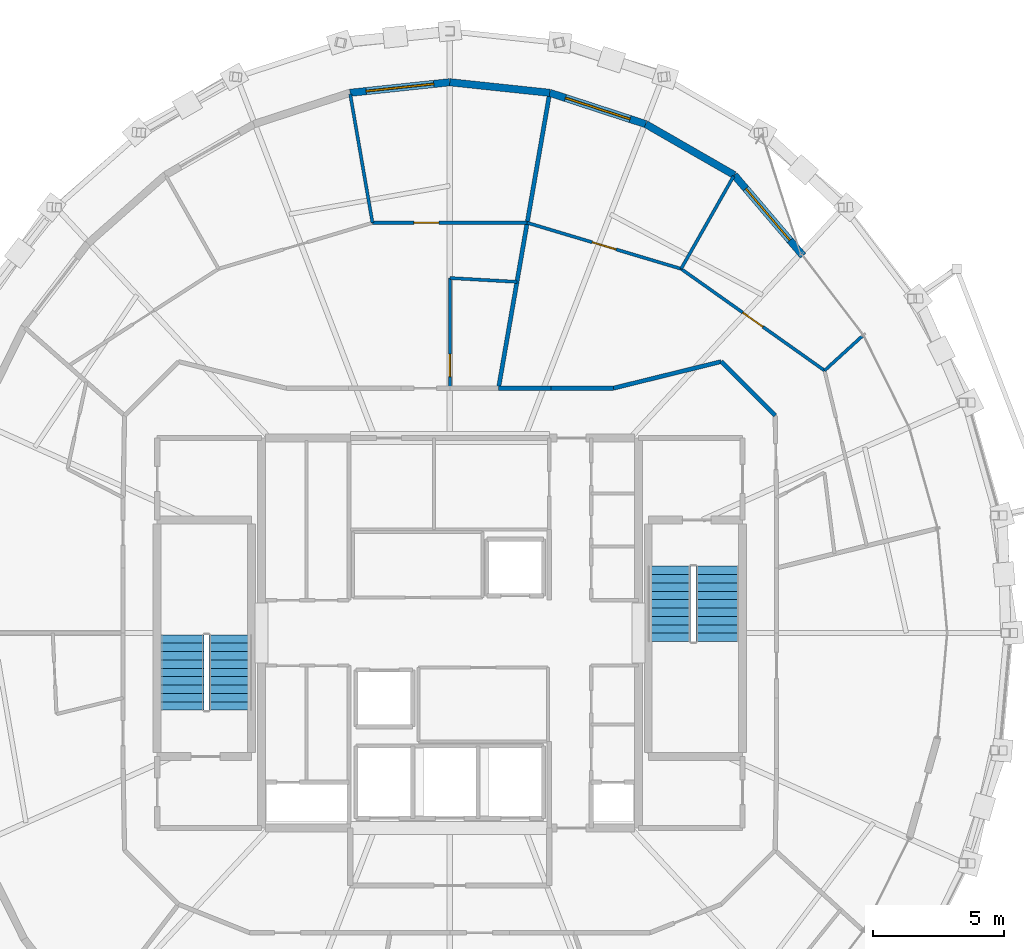
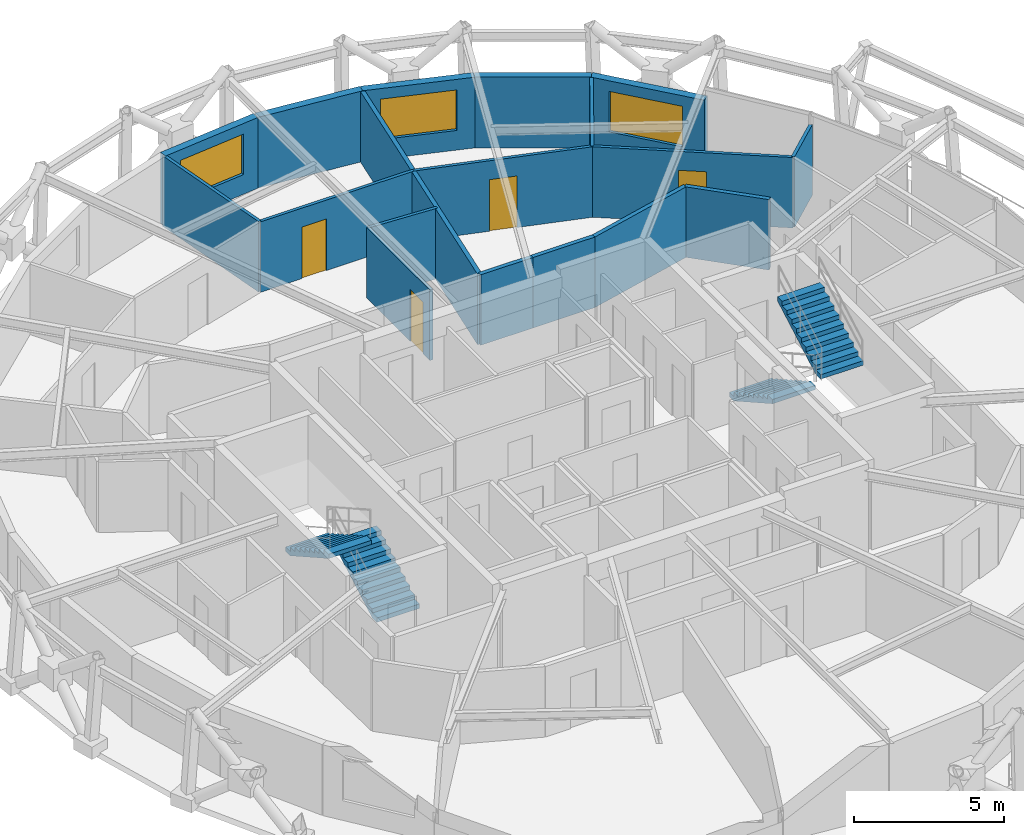
# One storey, part 14 of 15: 18 walls, 4 doors, 4 stair flights, 3 windows, 7 openings, 2 elements without a shape of their own.
"""IFC4 building model written with IfcOpenShell, lengths in metres."""

from ifc_helpers import new_model, si_unit, direction, frame, frame_2d, origin, place, context, subcontext, project, spatial, polyline, rectangle, outline, extrude, material, layer, layer_set, type_object, element, fill, aggregate, save


model = new_model("IFC4")

# Units and contexts
model_context = context("Model", 3, precision=1e-05, world=origin(), true_north=direction((0.0, 1.0)))
body_context = subcontext(model_context, "Body", "Model", "MODEL_VIEW")
ifc_project = project(units=[si_unit("LENGTHUNIT", "METRE"), si_unit("AREAUNIT", "SQUARE_METRE"), si_unit("VOLUMEUNIT", "CUBIC_METRE"), si_unit("PLANEANGLEUNIT", "RADIAN"), si_unit("MASSUNIT", "GRAM", prefix="KILO")], contexts=[model_context])

# Site, building, storey
site_placement = place(None, origin())
site = spatial("IfcSite", under=ifc_project, at=site_placement, CompositionType="ELEMENT")
building_placement = place(site_placement, origin())
building = spatial("IfcBuilding", under=site, at=building_placement, Name="Veldorina Hangang Commons", CompositionType="ELEMENT")
storey_placement = place(building_placement, frame((0.0, 0.0, 268.800048828125)))
storey = spatial("IfcBuildingStorey", under=building, at=storey_placement, Name="L70", CompositionType="ELEMENT", Elevation=268.800048828125)

# Wall, opening, window
ifc_material_1 = material(Name="Stone Roman Travertine", Category="masonry")
ifc_layer_1 = layer(ifc_material_1, 0.280029296875)
ifc_layer_set_1 = layer_set([ifc_layer_1], Name="Stone Roman Travertine")
wall_type_1 = type_object("IfcWallType", Name="EW-TRAV-280", PredefinedType="STANDARD", material=ifc_layer_set_1)
wall_1_placement = place(storey_placement, frame((45.492431640625, 38.409423828125, 0.0), z_axis=(0.0, 0.0, 1.0), x_axis=(-0.648688961416, 0.761053632365, 0.0)))
wall_1 = element("IfcWall", 1, at=wall_1_placement, inside=storey, type_object=wall_type_1, Name="L70 travertine facade wall 04", PredefinedType="STANDARD", context=body_context, shape_type="SweptSolid", body=[
    extrude(rectangle(XDim=4.050048828125, YDim=0.280029296875, at=frame_2d((2.02490234375, 0.0))), origin(), (0.0, 0.0, 1.0), 2.8798828125),
])
opening_1_placement = place(wall_1_placement, frame((0.77099609375, 0.0, 0.800048828125)))
opening_1 = element("IfcOpeningElement", 2, at=opening_1_placement, cuts=wall_1, Name="Opening W-02", PredefinedType="OPENING", context=body_context, shape_type="SweptSolid", body=[
    extrude(rectangle(XDim=2.60009765625, YDim=1.64990234375, at=frame_2d((1.300048828125, 0.824951171875))), frame((0.0, 0.14990234375, 0.0), z_axis=(0.0, -1.0, 0.0), x_axis=(1.0, 0.0, 0.0)), (0.0, 0.0, 1.0), 0.300048828125),
])
ifc_material_2 = material(Name="Glass Low-E Triple IGU", Category="glass")
window_type = type_object("IfcWindowType", Name="WIN-TWR-2600", PartitioningType="SINGLE_PANEL", PredefinedType="WINDOW", material=ifc_material_2)
window_1_placement = place(opening_1_placement, origin())
window_1 = element("IfcWindow", 3, at=window_1_placement, inside=storey, type_object=window_type, Name="L70 facade window 04", OverallHeight=1.64990234375, OverallWidth=2.60009765625, PartitioningType="SINGLE_PANEL", PredefinedType="WINDOW", context=body_context, shape_type="SweptSolid", body=[
    extrude(rectangle(XDim=2.60009765625, YDim=1.64990234375, at=frame_2d((1.300048828125, 0.824951171875))), frame((0.0, 0.030029296875, 0.0), z_axis=(0.0, -1.0, 0.0), x_axis=(1.0, 0.0, 0.0)), (0.0, 0.0, 1.0), 0.06005859375),
])
fill(opening_1, window_1)

# Wall
wall_2_placement = place(storey_placement, frame((42.865234375, 41.49169921875, 0.0), z_axis=(0.0, 0.0, 1.0), x_axis=(-0.866911036779, 0.498462891608, 0.0)))
element("IfcWall", 4, at=wall_2_placement, inside=storey, type_object=wall_type_1, Name="L70 travertine facade wall 05", PredefinedType="STANDARD", context=body_context, shape_type="SweptSolid", body=[
    extrude(rectangle(XDim=3.900146484375, YDim=0.280029296875, at=frame_2d((1.9501953125, 0.0))), origin(), (0.0, 0.0, 1.0), 2.8798828125),
])

# Wall, opening, window
wall_3_placement = place(storey_placement, frame((39.484130859375, 43.435791015625, 0.0), z_axis=(0.0, 0.0, 1.0), x_axis=(-0.950681997555, 0.310167276684, 0.0)))
wall_3 = element("IfcWall", 5, at=wall_3_placement, inside=storey, type_object=wall_type_1, Name="L70 travertine facade wall 06", PredefinedType="STANDARD", context=body_context, shape_type="SweptSolid", body=[
    extrude(rectangle(XDim=3.859375, YDim=0.280029296875, at=frame_2d((1.9296875, 0.0))), origin(), (0.0, 0.0, 1.0), 2.8798828125),
])
opening_2_placement = place(wall_3_placement, frame((0.629638671875, 0.0, 0.800048828125)))
opening_2 = element("IfcOpeningElement", 6, at=opening_2_placement, cuts=wall_3, Name="Opening W-02", PredefinedType="OPENING", context=body_context, shape_type="SweptSolid", body=[
    extrude(rectangle(XDim=2.60009765625, YDim=1.64990234375, at=frame_2d((1.300048828125, 0.824951171875))), frame((0.0, 0.14990234375, 0.0), z_axis=(0.0, -1.0, 0.0), x_axis=(1.0, 0.0, 0.0)), (0.0, 0.0, 1.0), 0.300048828125),
])
window_2_placement = place(opening_2_placement, origin())
window_2 = element("IfcWindow", 7, at=window_2_placement, inside=storey, type_object=window_type, Name="L70 facade window 06", OverallHeight=1.64990234375, OverallWidth=2.60009765625, PartitioningType="SINGLE_PANEL", PredefinedType="WINDOW", context=body_context, shape_type="SweptSolid", body=[
    extrude(rectangle(XDim=2.60009765625, YDim=1.64990234375, at=frame_2d((1.300048828125, 0.824951171875))), frame((0.0, 0.030029296875, 0.0), z_axis=(0.0, -1.0, 0.0), x_axis=(1.0, 0.0, 0.0)), (0.0, 0.0, 1.0), 0.06005859375),
])
fill(opening_2, window_2)

# Wall
wall_4_placement = place(storey_placement, frame((35.815185546875, 44.6328125, 0.0), z_axis=(0.0, 0.0, 1.0), x_axis=(-0.99443198522, 0.105380390832, 0.0)))
element("IfcWall", 8, at=wall_4_placement, inside=storey, type_object=wall_type_1, Name="L70 travertine facade wall 07", PredefinedType="STANDARD", context=body_context, shape_type="SweptSolid", body=[
    extrude(rectangle(XDim=3.83642578125, YDim=0.280029296875, at=frame_2d((1.918212890625, 0.0))), origin(), (0.0, 0.0, 1.0), 2.8798828125),
])

# Wall, opening, window
wall_5_placement = place(storey_placement, frame((32.0, 45.037109375, 0.0), z_axis=(0.0, 0.0, 1.0), x_axis=(-0.99443198522, -0.105380390832, 0.0)))
wall_5 = element("IfcWall", 9, at=wall_5_placement, inside=storey, type_object=wall_type_1, Name="L70 travertine facade wall 08", PredefinedType="STANDARD", context=body_context, shape_type="SweptSolid", body=[
    extrude(rectangle(XDim=3.83642578125, YDim=0.280029296875, at=frame_2d((1.918212890625, 0.0))), origin(), (0.0, 0.0, 1.0), 2.8798828125),
])
opening_3_placement = place(wall_5_placement, frame((0.618408203125, 0.0, 0.800048828125)))
opening_3 = element("IfcOpeningElement", 10, at=opening_3_placement, cuts=wall_5, Name="Opening W-02", PredefinedType="OPENING", context=body_context, shape_type="SweptSolid", body=[
    extrude(rectangle(XDim=2.60009765625, YDim=1.64990234375, at=frame_2d((1.300048828125, 0.824951171875))), frame((0.0, 0.14990234375, 0.0), z_axis=(0.0, -1.0, 0.0), x_axis=(1.0, 0.0, 0.0)), (0.0, 0.0, 1.0), 0.300048828125),
])
window_3_placement = place(opening_3_placement, origin())
window_3 = element("IfcWindow", 11, at=window_3_placement, inside=storey, type_object=window_type, Name="L70 facade window 08", OverallHeight=1.64990234375, OverallWidth=2.60009765625, PartitioningType="SINGLE_PANEL", PredefinedType="WINDOW", context=body_context, shape_type="SweptSolid", body=[
    extrude(rectangle(XDim=2.60009765625, YDim=1.64990234375, at=frame_2d((1.300048828125, 0.824951171875))), frame((0.0, 0.030029296875, 0.0), z_axis=(0.0, -1.0, 0.0), x_axis=(1.0, 0.0, 0.0)), (0.0, 0.0, 1.0), 0.06005859375),
])
fill(opening_3, window_3)

# Walls
ifc_material_3 = material(Name="Gypsum Fire-Rated Twin Stud Wall", Category="gypsum")
ifc_layer_2 = layer(ifc_material_3, 0.159912109375)
ifc_layer_set_2 = layer_set([ifc_layer_2], Name="Gypsum Fire-Rated Twin Stud Wall")
wall_type_2 = type_object("IfcWallType", Name="WL-FIRE-160", PredefinedType="SOLIDWALL", material=ifc_layer_set_2)
wall_6_placement = place(storey_placement, frame((44.4267578125, 32.30322265625, 0.0), z_axis=(0.0, 0.0, 1.0), x_axis=(-0.707106781187, 0.707106781187, 0.0)))
element("IfcWall", 12, at=wall_6_placement, inside=storey, type_object=wall_type_2, Name="L70 Compact collar outer wall 03 059", PredefinedType="SOLIDWALL", context=body_context, shape_type="SweptSolid", body=[
    extrude(rectangle(XDim=2.915771484375, YDim=0.159912109375, at=frame_2d((1.4580078125, 0.0))), origin(), (0.0, 0.0, 1.0), 2.869873046875),
])
wall_7_placement = place(storey_placement, frame((42.364990234375, 34.364990234375, 0.0), z_axis=(0.0, 0.0, 1.0), x_axis=(-0.970939799552, -0.239323850978, 0.0)))
element("IfcWall", 13, at=wall_7_placement, inside=storey, type_object=wall_type_2, Name="L70 Compact collar outer wall 04 060", PredefinedType="SOLIDWALL", context=body_context, shape_type="SweptSolid", body=[
    extrude(rectangle(XDim=4.24072265625, YDim=0.159912109375, at=frame_2d((2.120361328125, 0.0))), origin(), (0.0, 0.0, 1.0), 2.869873046875),
])
wall_8_placement = place(storey_placement, frame((38.24755859375, 33.35009765625, 0.0), z_axis=(0.0, 0.0, 1.0), x_axis=(-1.0, 0.0, 0.0)))
element("IfcWall", 14, at=wall_8_placement, inside=storey, type_object=wall_type_2, Name="L70 Compact collar outer wall 05 061", PredefinedType="SOLIDWALL", context=body_context, shape_type="SweptSolid", body=[
    extrude(rectangle(XDim=2.374755859375, YDim=0.159912109375, at=frame_2d((1.1875, 0.0))), origin(), (0.0, 0.0, 1.0), 2.869873046875),
])
wall_9_placement = place(storey_placement, frame((35.872802734375, 33.35009765625, 0.0), z_axis=(0.0, 0.0, 1.0), x_axis=(-1.0, 0.0, 0.0)))
element("IfcWall", 15, at=wall_9_placement, inside=storey, type_object=wall_type_2, Name="L70 Compact collar outer wall 06 062", PredefinedType="SOLIDWALL", context=body_context, shape_type="SweptSolid", body=[
    extrude(rectangle(XDim=2.012939453125, YDim=0.159912109375, at=frame_2d((1.00634765625, 0.0))), origin(), (0.0, 0.0, 1.0), 2.869873046875),
])
wall_10_placement = place(storey_placement, frame((33.85986328125, 33.35009765625, 0.0), z_axis=(0.0, 0.0, 1.0), x_axis=(0.170778130505, 0.98530950982, 0.0)))
element("IfcWall", 16, at=wall_10_placement, inside=storey, type_object=wall_type_2, Name="L70 Unit party wall 07 097", PredefinedType="SOLIDWALL", context=body_context, shape_type="SweptSolid", body=[
    extrude(rectangle(XDim=11.40087890625, YDim=0.159912109375, at=frame_2d((5.700439453125, 0.0))), origin(), (0.0, 0.0, 1.0), 2.869873046875),
])

# Wall, opening, door
ifc_material_4 = material(Name="Gypsum Acoustic Stud Partition", Category="gypsum")
ifc_layer_3 = layer(ifc_material_4, 0.1201171875)
ifc_layer_set_3 = layer_set([ifc_layer_3], Name="Gypsum Acoustic Stud Partition")
wall_type_3 = type_object("IfcWallType", Name="WL-PART-120", PredefinedType="PARTITIONING", material=ifc_layer_set_3)
wall_11_placement = place(storey_placement, frame((46.31298828125, 34.024169921875, 0.0), z_axis=(0.0, 0.0, 1.0), x_axis=(-0.815764383374, 0.57838436253, 0.0)))
wall_11 = element("IfcWall", 17, at=wall_11_placement, inside=storey, type_object=wall_type_3, Name="L70 Cluster 2 bed 2 front wall 093", PredefinedType="PARTITIONING", context=body_context, shape_type="SweptSolid", body=[
    extrude(rectangle(XDim=6.717041015625, YDim=0.1201171875, at=frame_2d((3.3583984375, 0.0))), origin(), (0.0, 0.0, 1.0), 2.869873046875),
])
opening_4_placement = place(wall_11_placement, frame((2.883544921875, 0.0, 0.0)))
opening_4 = element("IfcOpeningElement", 18, at=opening_4_placement, cuts=wall_11, Name="Opening D-02", PredefinedType="OPENING", context=body_context, shape_type="SweptSolid", body=[
    extrude(rectangle(XDim=0.949951171875, YDim=2.10009765625, at=frame_2d((0.47509765625, 1.050048828125))), frame((0.0, 0.070068359375, 0.0), z_axis=(0.0, -1.0, 0.0), x_axis=(1.0, 0.0, 0.0)), (0.0, 0.0, 1.0), 0.14013671875),
])
ifc_material_5 = material(Name="Timber Solid Core Acoustic", Category="wood")
door_type_1 = type_object("IfcDoorType", Name="DR-INT-950", OperationType="SINGLE_SWING_LEFT", PredefinedType="DOOR", material=ifc_material_5)
door_1_placement = place(opening_4_placement, origin())
door_1 = element("IfcDoor", 19, at=door_1_placement, inside=storey, type_object=door_type_1, Name="L70 Cluster 2 bed 2 door 030", OperationType="SINGLE_SWING_RIGHT", OverallHeight=2.10009765625, OverallWidth=0.949951171875, PredefinedType="DOOR", context=body_context, shape_type="SweptSolid", body=[
    extrude(rectangle(XDim=0.949951171875, YDim=2.10009765625, at=frame_2d((0.47509765625, 1.050048828125))), frame((0.0, 0.02490234375, 0.0), z_axis=(0.0, -1.0, 0.0), x_axis=(1.0, 0.0, 0.0)), (0.0, 0.0, 1.0), 0.050048828125),
])
fill(opening_4, door_1)

# Wall
wall_12_placement = place(storey_placement, frame((46.31298828125, 34.024169921875, 0.0), z_axis=(0.0, 0.0, 1.0), x_axis=(0.738747493853, 0.673982299713, 0.0)))
element("IfcWall", 20, at=wall_12_placement, inside=storey, type_object=wall_type_3, Name="L70 Cluster 2 bed divider 1 094", PredefinedType="PARTITIONING", context=body_context, shape_type="SweptSolid", body=[
    extrude(rectangle(XDim=1.95654296875, YDim=0.1201171875, at=frame_2d((0.978271484375, 0.0))), origin(), (0.0, 0.0, 1.0), 2.869873046875),
])

# Wall, opening, door
wall_13_placement = place(storey_placement, frame((40.83349609375, 37.9091796875, 0.0), z_axis=(0.0, 0.0, 1.0), x_axis=(-0.958019889786, 0.28670174533, 0.0)))
wall_13 = element("IfcWall", 21, at=wall_13_placement, inside=storey, type_object=wall_type_3, Name="L70 Cluster 2 bed 3 front wall 095", PredefinedType="PARTITIONING", context=body_context, shape_type="SweptSolid", body=[
    extrude(rectangle(XDim=6.13623046875, YDim=0.1201171875, at=frame_2d((3.068115234375, 0.0))), origin(), (0.0, 0.0, 1.0), 2.869873046875),
])
opening_5_placement = place(wall_13_placement, frame((2.593017578125, 0.0, 0.0)))
opening_5 = element("IfcOpeningElement", 22, at=opening_5_placement, cuts=wall_13, Name="Opening D-02", PredefinedType="OPENING", context=body_context, shape_type="SweptSolid", body=[
    extrude(rectangle(XDim=0.949951171875, YDim=2.10009765625, at=frame_2d((0.47509765625, 1.050048828125))), frame((0.0, 0.070068359375, 0.0), z_axis=(0.0, -1.0, 0.0), x_axis=(1.0, 0.0, 0.0)), (0.0, 0.0, 1.0), 0.14013671875),
])
door_2_placement = place(opening_5_placement, origin())
door_2 = element("IfcDoor", 23, at=door_2_placement, inside=storey, type_object=door_type_1, Name="L70 Cluster 2 bed 3 door 031", OperationType="SINGLE_SWING_LEFT", OverallHeight=2.10009765625, OverallWidth=0.949951171875, PredefinedType="DOOR", context=body_context, shape_type="SweptSolid", body=[
    extrude(rectangle(XDim=0.949951171875, YDim=2.10009765625, at=frame_2d((0.47509765625, 1.050048828125))), frame((0.0, 0.02490234375, 0.0), z_axis=(0.0, -1.0, 0.0), x_axis=(1.0, 0.0, 0.0)), (0.0, 0.0, 1.0), 0.050048828125),
])
fill(opening_5, door_2)

# Walls
wall_14_placement = place(storey_placement, frame((40.83349609375, 37.9091796875, 0.0), z_axis=(0.0, 0.0, 1.0), x_axis=(0.493338072586, 0.869837655047, 0.0)))
element("IfcWall", 24, at=wall_14_placement, inside=storey, type_object=wall_type_3, Name="L70 Cluster 2 bed divider 2 096", PredefinedType="PARTITIONING", context=body_context, shape_type="SweptSolid", body=[
    extrude(rectangle(XDim=4.068359375, YDim=0.1201171875, at=frame_2d((2.0341796875, 0.0))), origin(), (0.0, 0.0, 1.0), 2.869873046875),
])
wall_15_placement = place(storey_placement, frame((34.563720703125, 37.411865234375, 0.0), z_axis=(0.0, 0.0, 1.0), x_axis=(-0.998393230763, 0.056665304784, 0.0)))
element("IfcWall", 25, at=wall_15_placement, inside=storey, type_object=wall_type_3, Name="L70 Cluster 3 bath front wall 098", PredefinedType="PARTITIONING", context=body_context, shape_type="SweptSolid", body=[
    extrude(rectangle(XDim=2.56787109375, YDim=0.1201171875, at=frame_2d((1.283935546875, 0.0))), origin(), (0.0, 0.0, 1.0), 2.869873046875),
])

# Wall, opening, door
wall_16_placement = place(storey_placement, frame((32.0, 33.35009765625, 0.0), z_axis=(0.0, 0.0, 1.0), x_axis=(0.0, 1.0, 0.0)))
wall_16 = element("IfcWall", 26, at=wall_16_placement, inside=storey, type_object=wall_type_3, Name="L70 Cluster 3 bath side wall 099", PredefinedType="PARTITIONING", context=body_context, shape_type="SweptSolid", body=[
    extrude(rectangle(XDim=4.207275390625, YDim=0.1201171875, at=frame_2d((2.103515625, 0.0))), origin(), (0.0, 0.0, 1.0), 2.869873046875),
])
opening_6_placement = place(wall_16_placement, frame((0.43994140625, 0.0, 0.0)))
opening_6 = element("IfcOpeningElement", 27, at=opening_6_placement, cuts=wall_16, Name="Opening D-01", PredefinedType="OPENING", context=body_context, shape_type="SweptSolid", body=[
    extrude(rectangle(XDim=0.860107421875, YDim=2.10009765625, at=frame_2d((0.43017578125, 1.050048828125))), frame((0.0, 0.070068359375, 0.0), z_axis=(0.0, -1.0, 0.0), x_axis=(1.0, 0.0, 0.0)), (0.0, 0.0, 1.0), 0.14013671875),
])
ifc_material_6 = material(Name="Timber Moisture-Resistant Core", Category="wood")
door_type_2 = type_object("IfcDoorType", Name="DR-WET-860", OperationType="SINGLE_SWING_LEFT", PredefinedType="DOOR", material=ifc_material_6)
door_3_placement = place(opening_6_placement, origin())
door_3 = element("IfcDoor", 28, at=door_3_placement, inside=storey, type_object=door_type_2, Name="L70 Cluster 3 shared bathroom door 032", OperationType="SINGLE_SWING_RIGHT", OverallHeight=2.10009765625, OverallWidth=0.860107421875, PredefinedType="DOOR", context=body_context, shape_type="SweptSolid", body=[
    extrude(rectangle(XDim=0.860107421875, YDim=2.10009765625, at=frame_2d((0.43017578125, 1.050048828125))), frame((0.0, 0.02490234375, 0.0), z_axis=(0.0, -1.0, 0.0), x_axis=(1.0, 0.0, 0.0)), (0.0, 0.0, 1.0), 0.050048828125),
])
fill(opening_6, door_3)

wall_17_placement = place(storey_placement, frame((34.954833984375, 39.66845703125, 0.0), z_axis=(0.0, 0.0, 1.0), x_axis=(-1.0, 0.0, 0.0)))
wall_17 = element("IfcWall", 29, at=wall_17_placement, inside=storey, type_object=wall_type_3, Name="L70 Cluster 3 bed 1 front wall 100", PredefinedType="PARTITIONING", context=body_context, shape_type="SweptSolid", body=[
    extrude(rectangle(XDim=5.90966796875, YDim=0.1201171875, at=frame_2d((2.954833984375, 0.0))), origin(), (0.0, 0.0, 1.0), 2.869873046875),
])
opening_7_placement = place(wall_17_placement, frame((3.37744140625, 0.0, 0.0)))
opening_7 = element("IfcOpeningElement", 30, at=opening_7_placement, cuts=wall_17, Name="Opening D-02", PredefinedType="OPENING", context=body_context, shape_type="SweptSolid", body=[
    extrude(rectangle(XDim=0.949951171875, YDim=2.10009765625, at=frame_2d((0.47509765625, 1.050048828125))), frame((0.0, 0.070068359375, 0.0), z_axis=(0.0, -1.0, 0.0), x_axis=(1.0, 0.0, 0.0)), (0.0, 0.0, 1.0), 0.14013671875),
])
door_4_placement = place(opening_7_placement, origin())
door_4 = element("IfcDoor", 31, at=door_4_placement, inside=storey, type_object=door_type_1, Name="L70 Cluster 3 bed 1 door 034", OperationType="SINGLE_SWING_RIGHT", OverallHeight=2.10009765625, OverallWidth=0.949951171875, PredefinedType="DOOR", context=body_context, shape_type="SweptSolid", body=[
    extrude(rectangle(XDim=0.949951171875, YDim=2.10009765625, at=frame_2d((0.47509765625, 1.050048828125))), frame((0.0, 0.02490234375, 0.0), z_axis=(0.0, -1.0, 0.0), x_axis=(1.0, 0.0, 0.0)), (0.0, 0.0, 1.0), 0.050048828125),
])
fill(opening_7, door_4)

# Wall
wall_18_placement = place(storey_placement, frame((29.045166015625, 39.66845703125, 0.0), z_axis=(0.0, 0.0, 1.0), x_axis=(-0.170808263467, 0.985304286569, 0.0)))
element("IfcWall", 32, at=wall_18_placement, inside=storey, type_object=wall_type_3, Name="L70 Cluster 3 bed divider 1 102", PredefinedType="PARTITIONING", context=body_context, shape_type="SweptSolid", body=[
    extrude(rectangle(XDim=4.98828125, YDim=0.1201171875, at=frame_2d((2.494140625, 0.0))), origin(), (0.0, 0.0, 1.0), 2.869873046875),
])

# Stair, stair flights
ifc_material_7 = material(Name="Concrete C40/50", Category="concrete")
stair_type = type_object("IfcStairType", Name="STR-DOG-1650-20R", PredefinedType="HALF_TURN_STAIR", material=ifc_material_7)
stair_1_placement = place(storey_placement, origin())
stair_1 = element("IfcStair", 33, at=stair_1_placement, inside=storey, type_object=stair_type, Name="L70 Exit stair ST-1", PredefinedType="HALF_TURN_STAIR")
stair_flight_type = type_object("IfcStairFlightType", Name="SFL-STR-1650-20R", PredefinedType="STRAIGHT", material=ifc_material_7)
stair_flight_1_placement = place(storey_placement, frame((23.625, 21.050048828125, 0.0), z_axis=(0.0, 0.0, 1.0), x_axis=(0.0, 1.0, 0.0)))
stair_flight_1 = element("IfcStairFlight", 34, at=stair_flight_1_placement, type_object=stair_flight_type, Name="ST-1 flight 1", NumberOfRisers=10, NumberOfTreads=9, PredefinedType="STRAIGHT", RiserHeight=0.18, TreadLength=0.32, context=body_context, shape_type="SweptSolid", body=[
    extrude(outline(polyline([(0.0, 0.0), (0.0, 0.179931640625), (0.320068359375, 0.179931640625), (0.320068359375, 0.360107421875), (0.639892578125, 0.360107421875), (0.639892578125, 0.5400390625), (0.9599609375, 0.5400390625), (0.9599609375, 0.719970703125), (1.280029296875, 0.719970703125), (1.280029296875, 0.89990234375), (1.60009765625, 0.89990234375), (1.60009765625, 1.080078125), (1.919921875, 1.080078125), (1.919921875, 1.260009765625), (2.239990234375, 1.260009765625), (2.239990234375, 1.43994140625), (2.56005859375, 1.43994140625), (2.56005859375, 1.6201171875), (2.8798828125, 1.6201171875), (2.8798828125, 1.800048828125), (2.8798828125, 1.447998046875), (0.3056640625, 0.0), (0.0, 0.0)])), frame((0.0, 0.824951171875, 0.0), z_axis=(0.0, -1.0, 0.0), x_axis=(1.0, 0.0, 0.0)), (0.0, 0.0, 1.0), 1.64990234375),
])
stair_flight_2_placement = place(storey_placement, frame((21.77490234375, 23.929931640625, 1.800048828125), z_axis=(0.0, 0.0, 1.0), x_axis=(0.0, -1.0, 0.0)))
stair_flight_2 = element("IfcStairFlight", 35, at=stair_flight_2_placement, type_object=stair_flight_type, Name="ST-1 flight 2", NumberOfRisers=10, NumberOfTreads=9, PredefinedType="STRAIGHT", RiserHeight=0.18, TreadLength=0.32, context=body_context, shape_type="SweptSolid", body=[
    extrude(outline(polyline([(0.0, 0.0), (0.0, 0.179931640625), (0.320068359375, 0.179931640625), (0.320068359375, 0.360107421875), (0.639892578125, 0.360107421875), (0.639892578125, 0.5400390625), (0.9599609375, 0.5400390625), (0.9599609375, 0.719970703125), (1.280029296875, 0.719970703125), (1.280029296875, 0.89990234375), (1.60009765625, 0.89990234375), (1.60009765625, 1.080078125), (1.919921875, 1.080078125), (1.919921875, 1.260009765625), (2.239990234375, 1.260009765625), (2.239990234375, 1.43994140625), (2.56005859375, 1.43994140625), (2.56005859375, 1.6201171875), (2.8798828125, 1.6201171875), (2.8798828125, 1.800048828125), (2.8798828125, 1.447998046875), (0.3056640625, 0.0), (0.0, 0.0)])), frame((0.0, 0.824951171875, 0.0), z_axis=(0.0, -1.0, 0.0), x_axis=(1.0, 0.0, 0.0)), (0.0, 0.0, 1.0), 1.64990234375),
])
aggregate(stair_1, [stair_flight_1, stair_flight_2])

stair_2_placement = place(storey_placement, origin())
stair_2 = element("IfcStair", 36, at=stair_2_placement, inside=storey, type_object=stair_type, Name="L70 Exit stair ST-2", PredefinedType="HALF_TURN_STAIR")
stair_flight_3_placement = place(storey_placement, frame((40.375, 26.550048828125, 0.0), z_axis=(0.0, 0.0, 1.0), x_axis=(0.0, -1.0, 0.0)))
stair_flight_3 = element("IfcStairFlight", 37, at=stair_flight_3_placement, type_object=stair_flight_type, Name="ST-2 flight 1", NumberOfRisers=10, NumberOfTreads=9, PredefinedType="STRAIGHT", RiserHeight=0.18, TreadLength=0.32, context=body_context, shape_type="SweptSolid", body=[
    extrude(outline(polyline([(0.0, 0.0), (0.0, 0.179931640625), (0.320068359375, 0.179931640625), (0.320068359375, 0.360107421875), (0.639892578125, 0.360107421875), (0.639892578125, 0.5400390625), (0.9599609375, 0.5400390625), (0.9599609375, 0.719970703125), (1.280029296875, 0.719970703125), (1.280029296875, 0.89990234375), (1.60009765625, 0.89990234375), (1.60009765625, 1.080078125), (1.919921875, 1.080078125), (1.919921875, 1.260009765625), (2.239990234375, 1.260009765625), (2.239990234375, 1.43994140625), (2.56005859375, 1.43994140625), (2.56005859375, 1.6201171875), (2.8798828125, 1.6201171875), (2.8798828125, 1.800048828125), (2.8798828125, 1.447998046875), (0.3056640625, 0.0), (0.0, 0.0)])), frame((0.0, 0.824951171875, 0.0), z_axis=(0.0, -1.0, 0.0), x_axis=(1.0, 0.0, 0.0)), (0.0, 0.0, 1.0), 1.64990234375),
])
stair_flight_4_placement = place(storey_placement, frame((42.22509765625, 23.669921875, 1.800048828125), z_axis=(0.0, 0.0, 1.0), x_axis=(0.0, 1.0, 0.0)))
stair_flight_4 = element("IfcStairFlight", 38, at=stair_flight_4_placement, type_object=stair_flight_type, Name="ST-2 flight 2", NumberOfRisers=10, NumberOfTreads=9, PredefinedType="STRAIGHT", RiserHeight=0.18, TreadLength=0.32, context=body_context, shape_type="SweptSolid", body=[
    extrude(outline(polyline([(0.0, 0.0), (0.0, 0.179931640625), (0.320068359375, 0.179931640625), (0.320068359375, 0.360107421875), (0.639892578125, 0.360107421875), (0.639892578125, 0.5400390625), (0.9599609375, 0.5400390625), (0.9599609375, 0.719970703125), (1.280029296875, 0.719970703125), (1.280029296875, 0.89990234375), (1.60009765625, 0.89990234375), (1.60009765625, 1.080078125), (1.919921875, 1.080078125), (1.919921875, 1.260009765625), (2.239990234375, 1.260009765625), (2.239990234375, 1.43994140625), (2.56005859375, 1.43994140625), (2.56005859375, 1.6201171875), (2.8798828125, 1.6201171875), (2.8798828125, 1.800048828125), (2.8798828125, 1.447998046875), (0.3056640625, 0.0), (0.0, 0.0)])), frame((0.0, 0.824951171875, 0.0), z_axis=(0.0, -1.0, 0.0), x_axis=(1.0, 0.0, 0.0)), (0.0, 0.0, 1.0), 1.64990234375),
])
aggregate(stair_2, [stair_flight_3, stair_flight_4])

save(model, "model.ifc")
